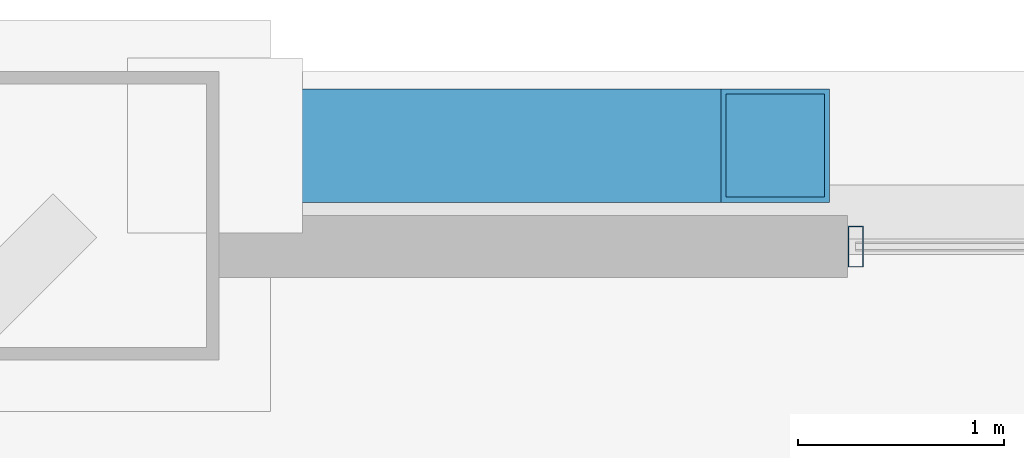
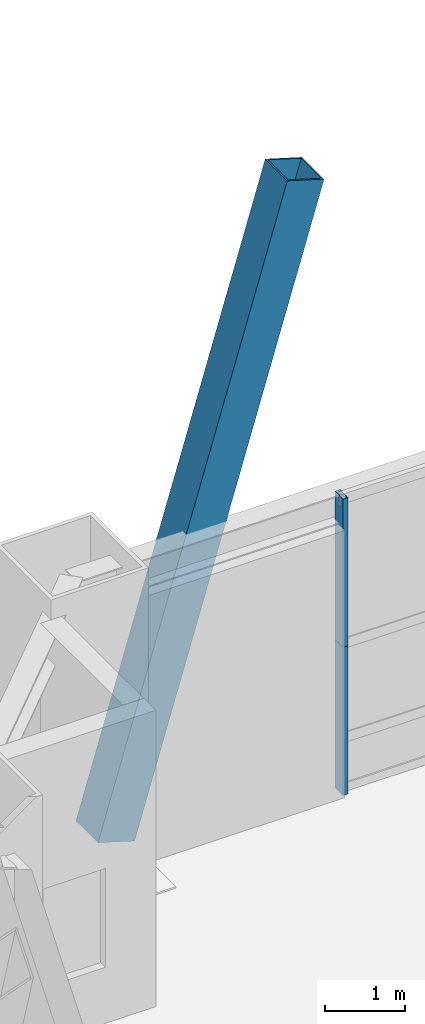
# One storey, part 22 of 34: 3 members, 1 element without a shape of its own.
"""IFC4 building model written with IfcOpenShell, lengths in metres."""

from ifc_helpers import new_model, si_unit, direction, frame, origin, origin_2d, place, context, subcontext, project, spatial, hollow_rectangle, extrude, source, transform, mapped, material, layer, layer_set, material_profile, profile_set, type_object, element, aggregate, save


model = new_model("IFC4")

# Units and contexts
model_context = context("Model", 3, precision=1e-05, world=origin(), true_north=direction((0.0, 1.0)))
body_context = subcontext(model_context, "Body", "Model", "MODEL_VIEW")
ifc_project = project(units=[si_unit("LENGTHUNIT", "METRE"), si_unit("AREAUNIT", "SQUARE_METRE"), si_unit("VOLUMEUNIT", "CUBIC_METRE"), si_unit("PLANEANGLEUNIT", "RADIAN"), si_unit("MASSUNIT", "GRAM", prefix="KILO"), si_unit("THERMODYNAMICTEMPERATUREUNIT", "KELVIN"), si_unit("POWERUNIT", "WATT")], contexts=[model_context])

# Site, building, storey
site_placement = place(None, origin())
site = spatial("IfcSite", under=ifc_project, at=site_placement, CompositionType="ELEMENT")
building_placement = place(site_placement, origin())
building = spatial("IfcBuilding", under=site, at=building_placement, Name="Yuzanri Waterfront Tower", CompositionType="ELEMENT")
storey_placement = place(building_placement, frame((0.0, 0.0, 166.800048828125)))
storey = spatial("IfcBuildingStorey", under=building, at=storey_placement, Name="L44", CompositionType="ELEMENT", Elevation=166.800048828125)

# Member
ifc_material_1 = material(Name="Steel Q390GJC", Category="steel")
ifc_material_profile_1 = material_profile(ifc_material_1, hollow_rectangle(XDim=0.550048828125, YDim=0.550048828125, WallThickness=0.02490234375, at=origin_2d()), Name="RHS 550x550x25")
ifc_profile_set_1 = profile_set([ifc_material_profile_1], Name="Steel Q390GJC")
member_type_1 = type_object("IfcMemberType", Name="Mega Brace Mid Q390GJC RHS 550x550x25", PredefinedType="BRACE", material=ifc_profile_set_1)
shared_shape_1 = source(origin(), body_context, "Body", "SweptSolid", [
    extrude(hollow_rectangle(XDim=0.550048828125, YDim=0.550048828125, WallThickness=0.02490234375, at=origin_2d()), origin(), (0.0, 0.0, 1.0), 9.497802734375),
])
member_1_placement = place(storey_placement, frame((19.179931640625, 48.239990234375, 0.179931640625), z_axis=(0.286376146952, 0.0, 0.958117269679), x_axis=(0.0, 1.0, 0.0)))
element("IfcMember", 1, at=member_1_placement, inside=storey, type_object=member_type_1, Name="L44-L45 Perimeter Mega-Brace N-L", PredefinedType="BRACE", context=body_context, shape_type="MappedRepresentation", body=[
    mapped(shared_shape_1, transform((0.0, 0.0, 0.0), scale=1.0)),
])

# Curtain wall, members
ifc_material_2 = material(Name="Anodized Architectural Bronze", Category="metal")
ifc_layer = layer(ifc_material_2, 0.159912109375)
ifc_layer_set = layer_set([ifc_layer], Name="Anodized Architectural Bronze")
curtain_wall_type = type_object("IfcCurtainWallType", Name="Anodized Bronze Sky-Lobby Triple-Glazed Feature Curtain Wall 7500", PredefinedType="NOTDEFINED", material=ifc_layer_set)
curtain_wall_placement = place(storey_placement, origin())
curtain_wall = element("IfcCurtainWall", 2, at=curtain_wall_placement, inside=storey, type_object=curtain_wall_type, Name="L44 Curtain Wall CW-L44-NL", PredefinedType="NOTDEFINED")
ifc_material_3 = material(Name="Anodized Architectural Bronze", Category="metal")
ifc_material_profile_2 = material_profile(ifc_material_3, hollow_rectangle(XDim=0.074951171875, YDim=0.199951171875, WallThickness=0.00390625, at=origin_2d()), Name="CWM 75x200")
ifc_profile_set_2 = profile_set([ifc_material_profile_2], Name="Anodized Architectural Bronze")
member_type_2 = type_object("IfcMemberType", Name="Anodized Bronze Primary Curtain-Wall Mullion 75x200", PredefinedType="MULLION", material=ifc_profile_set_2)
shared_shape_2 = source(origin(), body_context, "Body", "SweptSolid", [
    extrude(hollow_rectangle(XDim=0.074951171875, YDim=0.199951171875, WallThickness=0.00390625, at=origin_2d()), origin(), (0.0, 0.0, 1.0), 2.248046875),
])
member_2_placement = place(storey_placement, frame((22.2900390625, 47.75, 0.0), z_axis=(0.0, 0.0, 1.0), x_axis=(1.0, 0.0, 0.0)))
member_2 = element("IfcMember", 3, at=member_2_placement, type_object=member_type_2, Name="CW-L44-NL Lower Mullion 00", PredefinedType="MULLION", context=body_context, shape_type="MappedRepresentation", body=[
    mapped(shared_shape_2, transform((0.0, 0.0, 0.0), scale=1.0)),
])
member_3_placement = place(storey_placement, frame((22.2900390625, 47.75, 2.251953125), z_axis=(0.0, 0.0, 1.0), x_axis=(1.0, 0.0, 0.0)))
member_3 = element("IfcMember", 4, at=member_3_placement, type_object=member_type_2, Name="CW-L44-NL Upper Mullion 00", PredefinedType="MULLION", context=body_context, shape_type="MappedRepresentation", body=[
    mapped(shared_shape_2, transform((0.0, 0.0, 0.0), scale=1.0)),
])
aggregate(curtain_wall, [member_2, member_3])

save(model, "model.ifc")
